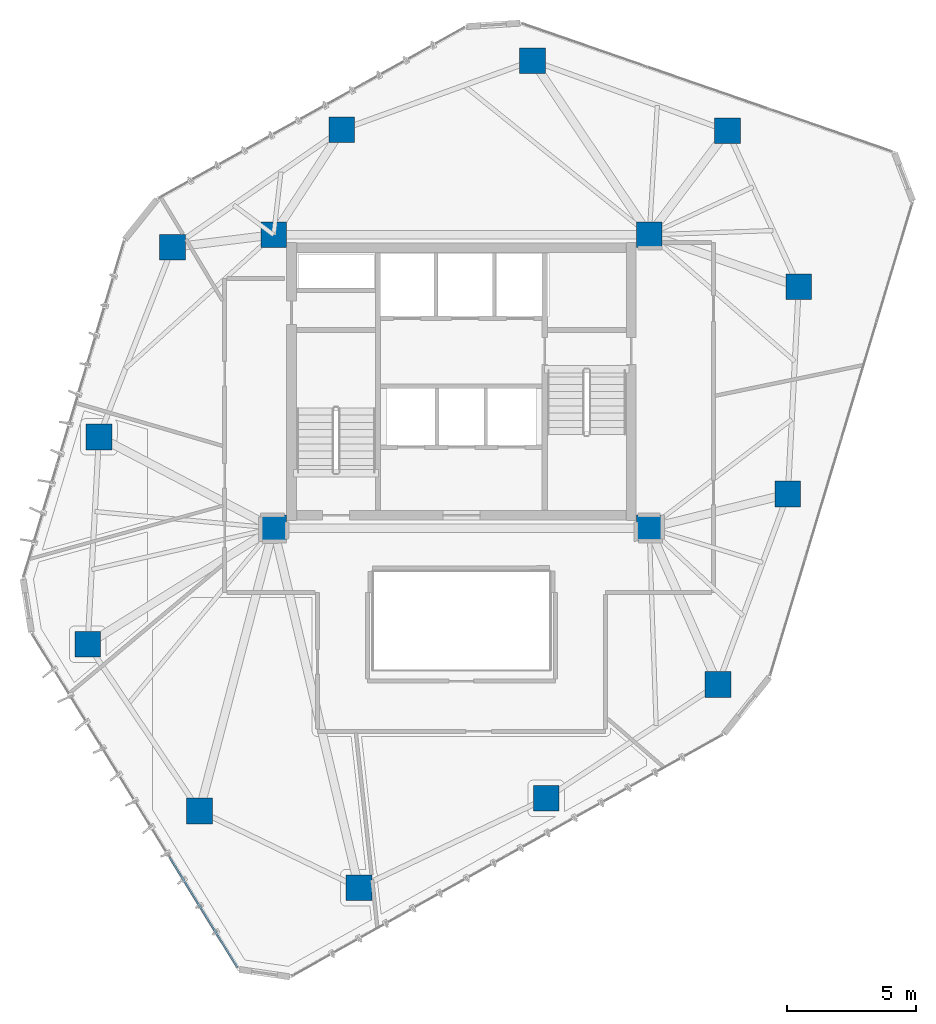
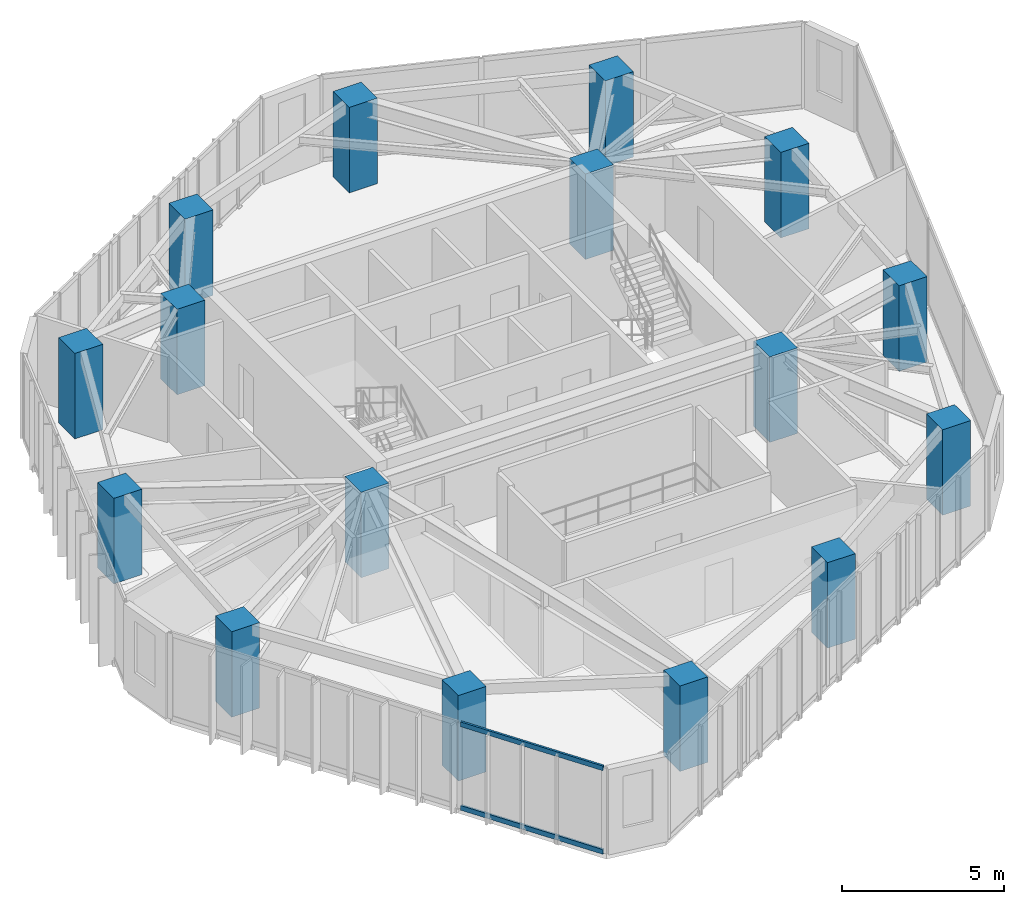
# One storey, part 1 of 19: 16 columns, 2 members, 1 element without a shape of its own.
"""IFC4 building model written with IfcOpenShell, lengths in metres."""

import ifcopenshell
import ifcopenshell.guid

model = None  # the IFC model being written
_history = None  # IfcOwnerHistory: only IFC2X3 demands one
_inside = {}  # id of a spatial element -> (the spatial element, [elements in it])
_under = {}  # id of a project, library or spatial element -> (it, [spatial elements below it])
_declared = {}  # id of a project -> (the project, [libraries it declares])
_typed = {}  # id of a type object -> (the type object, [elements of that type])
_made_of = {}  # id of a material, layer set ... -> (it, [elements and type objects made of it])


def new_model(schema):
    """Start an empty IFC model of exactly this schema.

    Asked for "IFC4X3", IfcOpenShell would pick the latest addendum, in which some entities
    have other attributes; the version numbers below select the first issue.
    IFC2X3 requires an IfcOwnerHistory on every rooted entity: one is made here for all.
    """
    global model, _history
    if schema == "IFC4X3":
        model = ifcopenshell.file(schema_version=(4, 3, 0, 0))
    else:
        model = ifcopenshell.file(schema=schema)
    _inside.clear()
    _under.clear()
    _declared.clear()
    _typed.clear()
    _made_of.clear()
    _history = None
    if model.schema == "IFC2X3":
        org = make("IfcOrganization", Name="unknown")
        user = make(
            "IfcPersonAndOrganization",
            ThePerson=make("IfcPerson", FamilyName="unknown"),
            TheOrganization=org,
        )
        app = make(
            "IfcApplication",
            ApplicationDeveloper=org,
            Version="unknown",
            ApplicationFullName="unknown",
            ApplicationIdentifier="unknown",
        )
        _history = make(
            "IfcOwnerHistory",
            OwningUser=user,
            OwningApplication=app,
            ChangeAction="ADDED",
            CreationDate=0,
        )
    return model


def make(cls, **values):
    """One entity of the class cls with the attributes given. An attribute that is None is left unset."""
    return model.create_entity(
        cls, **{name: value for name, value in values.items() if value is not None}
    )


def rooted(cls, **values):
    """An entity with a GlobalId (a new one), such as an element, a storey or a relation."""
    return make(cls, GlobalId=ifcopenshell.guid.new(), OwnerHistory=_history, **values)


def si_unit(unit_type, name, prefix=None):
    """IfcSIUnit, for example si_unit("LENGTHUNIT", "METRE", prefix="MILLI")."""
    return make("IfcSIUnit", UnitType=unit_type, Prefix=prefix, Name=name)


def assignment(units):
    """IfcUnitAssignment: the units of a project."""
    return None if units is None else make("IfcUnitAssignment", Units=units)


def point(xyz):
    """IfcCartesianPoint."""
    return None if xyz is None else make("IfcCartesianPoint", Coordinates=xyz)


def direction(xyz):
    """IfcDirection."""
    return None if xyz is None else make("IfcDirection", DirectionRatios=xyz)


def frame(location, z_axis=None, x_axis=None):
    """IfcAxis2Placement3D, a coordinate frame: its origin and axes. An axis left out is left unset."""
    return make(
        "IfcAxis2Placement3D",
        Location=point(location),
        Axis=direction(z_axis),
        RefDirection=direction(x_axis),
    )


def frame_2d(location, x_axis=None):
    """IfcAxis2Placement2D, a coordinate frame in the plane: its origin and x axis."""
    return make(
        "IfcAxis2Placement2D", Location=point(location), RefDirection=direction(x_axis)
    )


def origin():
    """The frame at (0, 0, 0) with its axes left unset."""
    return frame((0.0, 0.0, 0.0))


def origin_2d():
    """The frame at (0, 0) in the plane with its x axis left unset."""
    return frame_2d((0.0, 0.0))


def place(relative_to, where):
    """IfcLocalPlacement: puts the frame where relative to a parent placement (None: the world)."""
    return make(
        "IfcLocalPlacement", PlacementRelTo=relative_to, RelativePlacement=where
    )


def context(
    kind, dimensions, precision=None, world=None, true_north=None, identifier=None
):
    """IfcGeometricRepresentationContext, for example the 3D "Model" context."""
    return make(
        "IfcGeometricRepresentationContext",
        ContextIdentifier=identifier,
        ContextType=kind,
        CoordinateSpaceDimension=dimensions,
        Precision=precision,
        WorldCoordinateSystem=world,
        TrueNorth=true_north,
    )


def subcontext(parent, identifier, kind, view, scale=None):
    """IfcGeometricRepresentationSubContext, for example "Body" below "Model"."""
    return make(
        "IfcGeometricRepresentationSubContext",
        ContextIdentifier=identifier,
        ContextType=kind,
        ParentContext=parent,
        TargetScale=scale,
        TargetView=view,
    )


def project(units=None, contexts=None):
    """IfcProject with its units and contexts."""
    return rooted(
        "IfcProject",
        Name="project",
        RepresentationContexts=contexts,
        UnitsInContext=assignment(units),
    )


def spatial(cls, under=None, at=None, **own):
    """A site, building, storey or space (cls), placed at a placement, below another one or the project."""
    s = rooted(cls, ObjectPlacement=at, **own)
    if under is not None:
        _under.setdefault(under.id(), (under, []))[1].append(s)
    return s


def profile(cls, at=None, kind="AREA", **sizes):
    """A parametric profile (cls). Its sizes go by their IFC names, for example OverallWidth=200.0."""
    return make(cls, ProfileType=kind, Position=at, **sizes)


def rectangle(**sizes):
    """IfcRectangleProfileDef."""
    return profile("IfcRectangleProfileDef", **sizes)


def hollow_rectangle(**sizes):
    """IfcRectangleHollowProfileDef."""
    return profile("IfcRectangleHollowProfileDef", **sizes)


def extrude(swept, where, along, depth):
    """IfcExtrudedAreaSolid: the profile swept, set in the frame where, extruded along a direction by depth."""
    return make(
        "IfcExtrudedAreaSolid",
        SweptArea=swept,
        Position=where,
        ExtrudedDirection=direction(along),
        Depth=depth,
    )


def shape(context_of_items, identifier, shape_type, items):
    """IfcShapeRepresentation: the items that make up one representation, for example the "Body"."""
    return make(
        "IfcShapeRepresentation",
        ContextOfItems=context_of_items,
        RepresentationIdentifier=identifier,
        RepresentationType=shape_type,
        Items=items,
    )


def source(mapping_origin, context_of_items, identifier, shape_type, items):
    """IfcRepresentationMap: a shape defined once, which mapped items show again and again."""
    return make(
        "IfcRepresentationMap",
        MappingOrigin=mapping_origin,
        MappedRepresentation=shape(context_of_items, identifier, shape_type, items),
    )


def transform(
    local_origin,
    x_axis=None,
    y_axis=None,
    z_axis=None,
    scale=None,
    scale2=None,
    scale3=None,
    uniform=True,
):
    """IfcCartesianTransformationOperator3D, or its non-uniform kind. x_axis, y_axis, z_axis: its Axis1, 2, 3."""
    if uniform:
        return make(
            "IfcCartesianTransformationOperator3D",
            Axis1=direction(x_axis),
            Axis2=direction(y_axis),
            LocalOrigin=point(local_origin),
            Scale=scale,
            Axis3=direction(z_axis),
        )
    return make(
        "IfcCartesianTransformationOperator3DnonUniform",
        Axis1=direction(x_axis),
        Axis2=direction(y_axis),
        LocalOrigin=point(local_origin),
        Scale=scale,
        Axis3=direction(z_axis),
        Scale2=scale2,
        Scale3=scale3,
    )


def mapped(mapping_source, mapping_target):
    """IfcMappedItem: shows the shape of a source again, moved by a transform."""
    return make(
        "IfcMappedItem", MappingSource=mapping_source, MappingTarget=mapping_target
    )


def material(Name=None, Category=None):
    """IfcMaterial."""
    return make("IfcMaterial", Name=Name, Category=Category)


def layer(
    of_material, thickness, ventilated=None, Name=None, Category=None, Priority=None
):
    """IfcMaterialLayer: one layer of a wall or slab, of a material (None: an air gap)."""
    return make(
        "IfcMaterialLayer",
        Material=of_material,
        LayerThickness=thickness,
        IsVentilated=ventilated,
        Name=Name,
        Category=Category,
        Priority=Priority,
    )


def layer_set(layers, Name=None):
    """IfcMaterialLayerSet."""
    return make("IfcMaterialLayerSet", MaterialLayers=layers, LayerSetName=Name)


def material_profile(
    of_material, cross_section, Name=None, Category=None, Priority=None
):
    """IfcMaterialProfile: a cross section and its material."""
    return make(
        "IfcMaterialProfile",
        Name=Name,
        Material=of_material,
        Profile=cross_section,
        Priority=Priority,
        Category=Category,
    )


def profile_set(profiles, Name=None, composite=None):
    """IfcMaterialProfileSet."""
    return make(
        "IfcMaterialProfileSet",
        Name=Name,
        MaterialProfiles=profiles,
        CompositeProfile=composite,
    )


def made_of(thing, what):
    """Note that an element or type object is made of a material, layer set ...; save() writes the relation."""
    if what is not None:
        _made_of.setdefault(what.id(), (what, []))[1].append(thing)
    return thing


def type_object(cls, material=None, **own):
    """A type object (cls), such as IfcWallType, which elements share."""
    return made_of(rooted(cls, **own), material)


def type_shapes(of_type, sources):
    """Give a type object the sources (RepresentationMaps) that its elements show as mapped items."""
    of_type.RepresentationMaps = sources


def element(
    cls,
    number,
    at=None,
    inside=None,
    cuts=None,
    type_object=None,
    material=None,
    context=None,
    identifier="Body",
    shape_type=None,
    held_by="IfcProductDefinitionShape",
    body=None,
    shapes=None,
    **own,
):
    """One element of the class cls, such as IfcWall. Its Tag is "e" and its number.

    at: its placement. inside: the storey or other place that contains it. cuts: it is an
    opening in that element (IfcRelVoidsElement). A single representation is given by context,
    identifier, shape_type and body (its items); several are given by shapes. held_by: the class
    of the entity that holds the representations. save() writes the other relations.
    """
    e = rooted(cls, Tag="e%d" % number, ObjectPlacement=at, **own)
    if body is not None:
        shapes = [shape(context, identifier, shape_type, body)]
    if shapes is not None:
        e.Representation = make(held_by, Representations=shapes)
    if inside is not None:
        _inside.setdefault(inside.id(), (inside, []))[1].append(e)
    if cuts is not None:
        rooted(
            "IfcRelVoidsElement", RelatingBuildingElement=cuts, RelatedOpeningElement=e
        )
    if type_object is not None:
        _typed.setdefault(type_object.id(), (type_object, []))[1].append(e)
    return made_of(e, material)


def aggregate(whole, parts):
    """IfcRelAggregates: a whole, such as a stair, and the parts it consists of."""
    return rooted("IfcRelAggregates", RelatingObject=whole, RelatedObjects=parts)


def save(model, path):
    """Write the relations noted so far, then the file.

    IfcRelAggregates (storeys below a building ...), IfcRelContainedInSpatialStructure (elements
    in a storey), IfcRelDefinesByType, IfcRelAssociatesMaterial and IfcRelDeclares: one each for
    every whole, place, type object, material and project.
    """
    for whole, parts in _under.values():
        aggregate(whole, parts)
    for where, things in _inside.values():
        rooted(
            "IfcRelContainedInSpatialStructure",
            RelatedElements=things,
            RelatingStructure=where,
        )
    for kind, things in _typed.values():
        rooted("IfcRelDefinesByType", RelatedObjects=things, RelatingType=kind)
    for what, things in _made_of.values():
        rooted("IfcRelAssociatesMaterial", RelatedObjects=things, RelatingMaterial=what)
    for by, libraries in _declared.values():
        rooted("IfcRelDeclares", RelatingContext=by, RelatedDefinitions=libraries)
    model.write(path)


model = new_model("IFC4")

# Units and contexts
model_context = context("Model", 3, precision=1e-05, world=origin(), true_north=direction((0.0, 1.0)))
body_context = subcontext(model_context, "Body", "Model", "MODEL_VIEW")
ifc_project = project(units=[si_unit("LENGTHUNIT", "METRE"), si_unit("AREAUNIT", "SQUARE_METRE"), si_unit("VOLUMEUNIT", "CUBIC_METRE"), si_unit("PLANEANGLEUNIT", "RADIAN"), si_unit("MASSUNIT", "GRAM", prefix="KILO")], contexts=[model_context])

# Site, building, storey
site_placement = place(None, origin())
site = spatial("IfcSite", under=ifc_project, at=site_placement, CompositionType="ELEMENT")
building_placement = place(site_placement, origin())
building = spatial("IfcBuilding", under=site, at=building_placement, Name="Talar Marvaseh", CompositionType="ELEMENT")
storey_placement = place(building_placement, frame((0.0, 0.0, 177.5)))
storey = spatial("IfcBuildingStorey", under=building, at=storey_placement, Name="L46", CompositionType="ELEMENT", Elevation=177.5)

# Columns
ifc_material_1 = material(Name="Concrete C60/75", Category="concrete")
ifc_material_profile_1 = material_profile(ifc_material_1, rectangle(XDim=1.0, YDim=1.0, at=origin_2d()), Name="RC1000x1000")
ifc_profile_set_1 = profile_set([ifc_material_profile_1], Name="Concrete C60/75")
column_type = type_object("IfcColumnType", Name="Zone 3 Tube Column RC1000x1000", PredefinedType="COLUMN", material=ifc_profile_set_1)
for number, where, z_axis, x_axis, name in (
    (1, (28.76611328125, 43.66796875, 0.0), (0.0, 0.0, 1.0), (1.0, 0.0, 0.0), "L46 Zone 3 Tube Column RC1000x1000"),
    (2, (36.341064453125, 40.94189453125, 0.0), (0.0, 0.0, 1.0), (1.0, 0.0, 0.0), "L46 Zone 3 Tube Column RC1000x1000"),
    (3, (39.113037109375, 34.884033203125, 0.0), (0.0, 0.0, 1.0), (1.0, 0.0, 0.0), "L46 Zone 3 Tube Column RC1000x1000"),
    (4, (38.68896484375, 26.823974609375, 0.0), (0.0, 0.0, 1.0), (1.0, 0.0, 0.0), "L46 Zone 3 Tube Column RC1000x1000"),
    (5, (35.970947265625, 19.423095703125, 0.0), (0.0, 0.0, 1.0), (1.0, 0.0, 0.0), "L46 Zone 3 Tube Column RC1000x1000"),
    (6, (29.299072265625, 14.993896484375, 0.0), (0.0, 0.0, 1.0), (1.0, 0.0, 0.0), "L46 Zone 3 Tube Column RC1000x1000"),
    (7, (22.014892578125, 11.51904296875, 0.0), (0.0, 0.0, 1.0), (1.0, 0.0, 0.0), "L46 Zone 3 Tube Column RC1000x1000"),
    (8, (15.819091796875, 14.5009765625, 0.0), (0.0, 0.0, 1.0), (1.0, 0.0, 0.0), "L46 Zone 3 Tube Column RC1000x1000"),
    (9, (11.471923828125, 20.986083984375, 0.0), (0.0, 0.0, 1.0), (1.0, 0.0, 0.0), "L46 Zone 3 Tube Column RC1000x1000"),
    (10, (11.908935546875, 29.044921875, 0.0), (0.0, 0.0, 1.0), (1.0, 0.0, 0.0), "L46 Zone 3 Tube Column RC1000x1000"),
    (11, (14.77294921875, 36.416015625, 0.0), (0.0, 0.0, 1.0), (1.0, 0.0, 0.0), "L46 Zone 3 Tube Column RC1000x1000"),
    (12, (21.35205078125, 40.986083984375, 0.0), (0.0, 0.0, 1.0), (1.0, 0.0, 0.0), "L46 Zone 3 Tube Column RC1000x1000"),
    (13, (18.699951171875, 25.5, 0.0), (0.0, 0.0, 1.0), (1.0, 0.0, 0.0), "L46 Zone 3 Tube Column RC1000x1000"),
    (14, (33.300048828125, 25.5, 0.0), (0.0, 0.0, 1.0), (1.0, 0.0, 0.0), "L46 Zone 3 Tube Column RC1000x1000"),
    (15, (33.300048828125, 36.89990234375, 0.0), (0.0, 0.0, 1.0), (1.0, 0.0, 0.0), "L46 Zone 3 Tube Column RC1000x1000"),
    (16, (18.699951171875, 36.89990234375, 0.0), (0.0, 0.0, 1.0), (1.0, 0.0, 0.0), "L46 Zone 3 Tube Column RC1000x1000"),
):
    element("IfcColumn", number, at=place(storey_placement, frame(where, z_axis=z_axis, x_axis=x_axis)), inside=storey, type_object=column_type, Name=name, PredefinedType="COLUMN", context=body_context, shape_type="SweptSolid", body=[
        extrude(rectangle(XDim=1.0, YDim=1.0, at=origin_2d()), origin(), (0.0, 0.0, 1.0), 3.22998046875),
    ])

# Curtain wall, members
ifc_material_2 = material(Name="Architectural Aluminium", Category="aluminium")
ifc_layer = layer(ifc_material_2, 0.18994140625)
ifc_layer_set = layer_set([ifc_layer], Name="Architectural Aluminium")
curtain_wall_type = type_object("IfcCurtainWallType", Name="Unitised Solar Atelier Curtain Wall Z3", PredefinedType="NOTDEFINED", material=ifc_layer_set)
curtain_wall_placement = place(storey_placement, origin())
curtain_wall = element("IfcCurtainWall", 17, at=curtain_wall_placement, inside=storey, type_object=curtain_wall_type, Name="L46 Unitised Solar Atelier Curtain Wall Z3", PredefinedType="NOTDEFINED")
ifc_material_profile_2 = material_profile(ifc_material_2, hollow_rectangle(XDim=0.074951171875, YDim=0.179931640625, WallThickness=0.0048828125, at=origin_2d()), Name="RHS180x75x5")
ifc_profile_set_2 = profile_set([ifc_material_profile_2], Name="Architectural Aluminium")
member_type = type_object("IfcMemberType", Name="Unitised Curtain Wall Transom RHS180x75x5", PredefinedType="USERDEFINED", material=ifc_profile_set_2)
shared_shape = source(origin(), body_context, "Body", "SweptSolid", [
    extrude(hollow_rectangle(XDim=0.074951171875, YDim=0.179931640625, WallThickness=0.0048828125, at=origin_2d()), origin(), (0.0, 0.0, 1.0), 5.00048828125),
])
type_shapes(member_type, [shared_shape])
member_1_placement = place(storey_placement, frame((17.28759765625, 8.430419921875, 0.03759765625), z_axis=(-0.523920352135, 0.851767259654, 0.0), x_axis=(-0.851767259654, -0.523920352135, 0.0)))
member_1 = element("IfcMember", 18, at=member_1_placement, type_object=member_type, Name="CW-Z3 transom 1.1", ObjectType="TRANSOM", PredefinedType="USERDEFINED", context=body_context, shape_type="MappedRepresentation", body=[
    mapped(shared_shape, transform((0.0, 0.0, 0.0), x_axis=(1.0, 0.0, 0.0), y_axis=(0.0, 1.0, 0.0), z_axis=(0.0, 0.0, 1.0), scale=1.0)),
])
member_2_placement = place(storey_placement, frame((17.28759765625, 8.430419921875, 3.1923828125), z_axis=(-0.523920352135, 0.851767259654, 0.0), x_axis=(-0.851767259654, -0.523920352135, 0.0)))
member_2 = element("IfcMember", 19, at=member_2_placement, type_object=member_type, Name="CW-Z3 transom 1.2", ObjectType="TRANSOM", PredefinedType="USERDEFINED", context=body_context, shape_type="MappedRepresentation", body=[
    mapped(shared_shape, transform((0.0, 0.0, 0.0), x_axis=(1.0, 0.0, 0.0), y_axis=(0.0, 1.0, 0.0), z_axis=(0.0, 0.0, 1.0), scale=1.0)),
])
aggregate(curtain_wall, [member_1, member_2])

save(model, "model.ifc")
